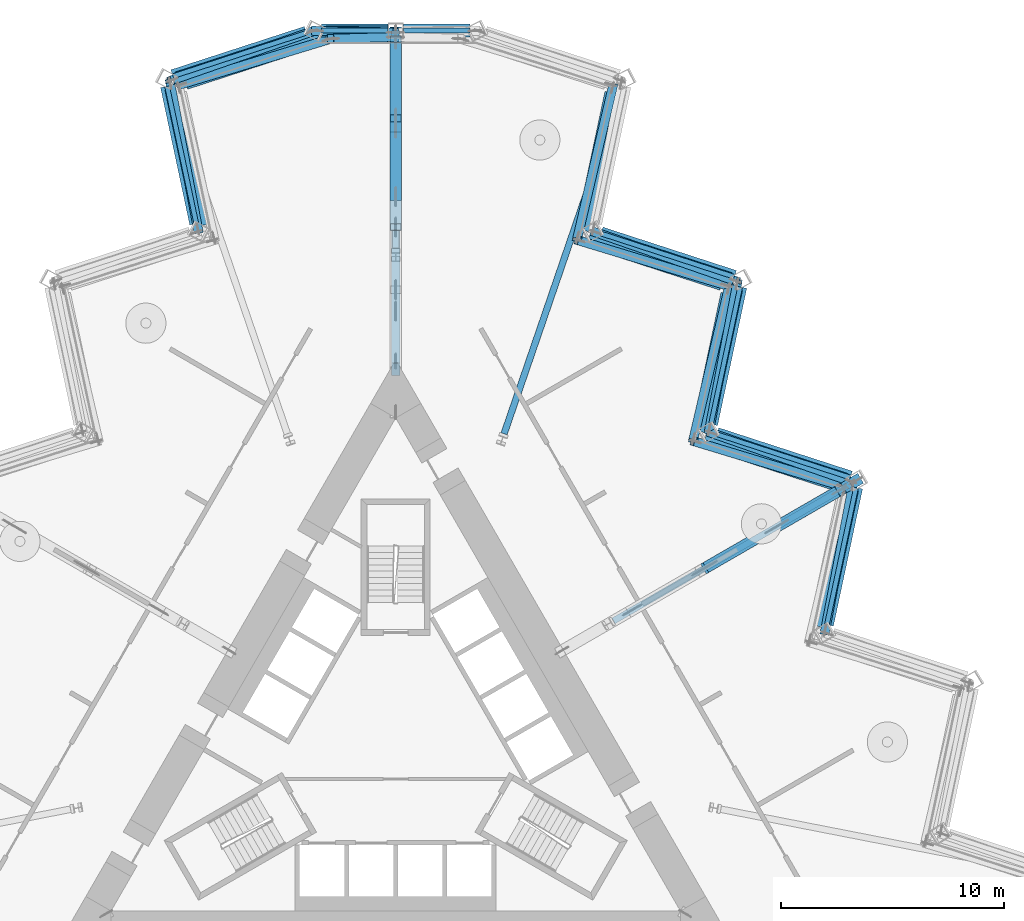
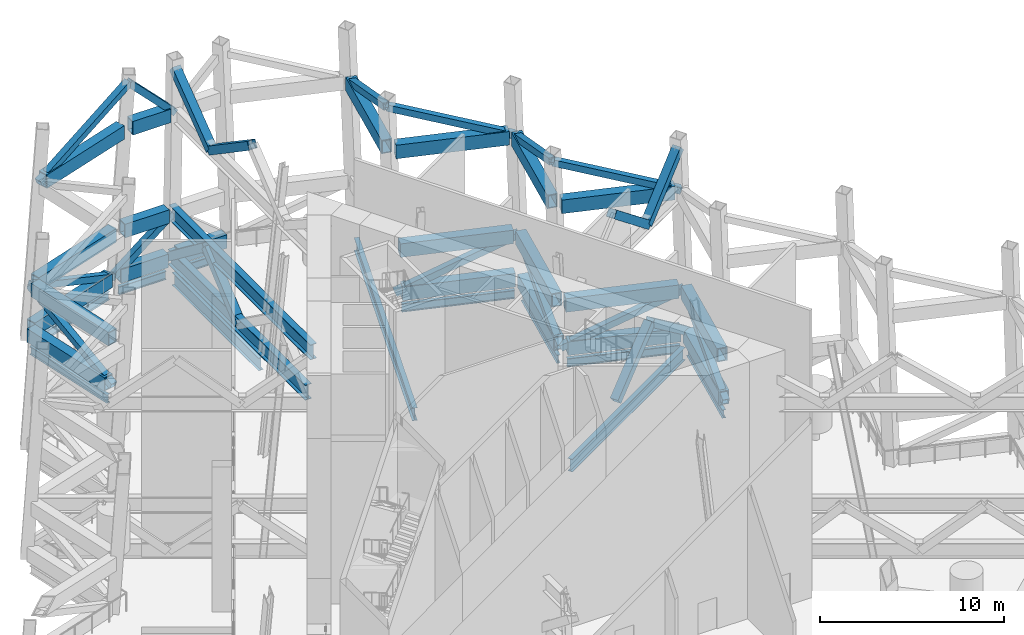
# One storey, part 6 of 19: 44 members, 11 beams.
"""IFC4 building model written with IfcOpenShell, lengths in metres."""

from ifc_helpers import new_model, si_unit, direction, frame, origin, origin_2d, place, context, subcontext, project, spatial, hollow_rectangle, i_section, extrude, material, material_profile, profile_set, type_object, element, save


model = new_model("IFC4")

# Units and contexts
model_context = context("Model", 3, precision=1e-05, world=origin(), true_north=direction((0.0, 1.0)))
body_context = subcontext(model_context, "Body", "Model", "MODEL_VIEW")
ifc_project = project(units=[si_unit("LENGTHUNIT", "METRE"), si_unit("AREAUNIT", "SQUARE_METRE"), si_unit("VOLUMEUNIT", "CUBIC_METRE"), si_unit("PLANEANGLEUNIT", "RADIAN"), si_unit("MASSUNIT", "GRAM", prefix="KILO")], contexts=[model_context])

# Site, building, storey
site_placement = place(None, origin())
site = spatial("IfcSite", under=ifc_project, at=site_placement, CompositionType="ELEMENT")
building_placement = place(site_placement, origin())
building = spatial("IfcBuilding", under=site, at=building_placement, Name="Cormorant Prow Tower", CompositionType="ELEMENT")
storey_placement = place(building_placement, frame((0.0, 0.0, 287.800048828125)))
storey = spatial("IfcBuildingStorey", under=building, at=storey_placement, Name="L64", CompositionType="ELEMENT", Elevation=287.800048828125)

# Members
ifc_material_1 = material(Name="Structural steel ASTM A572 Gr 50", Category="steel")
ifc_material_profile_1 = material_profile(ifc_material_1, hollow_rectangle(XDim=0.60009765625, YDim=0.89990234375, WallThickness=0.06005859375, at=origin_2d()), Name="Box 900x600x60")
ifc_profile_set_1 = profile_set([ifc_material_profile_1], Name="Structural steel ASTM A572 Gr 50")
member_type_1 = type_object("IfcMemberType", Name="Belt truss bottom chord 900x600x60", PredefinedType="CHORD", material=ifc_profile_set_1)
member_1_placement = place(storey_placement, frame((19.307861328125, 5.456787109375, 0.449951171875), z_axis=(0.207933593793, 0.978142944856, 0.0), x_axis=(-0.978142944856, 0.207933593793, 0.0)))
element("IfcMember", 1, at=member_1_placement, inside=storey, type_object=member_type_1, Name="Belt truss bottom chord ENE04-ENE05 L64", PredefinedType="CHORD", context=body_context, shape_type="SweptSolid", body=[
    extrude(hollow_rectangle(XDim=0.60009765625, YDim=0.89990234375, WallThickness=0.06005859375, at=origin_2d()), origin(), (0.0, 0.0, 1.0), 6.281494140625),
])
member_2_placement = place(storey_placement, frame((19.11962890625, 5.34521484375, 3.449951171875), z_axis=(0.207897315893, 0.978150656108, 0.0), x_axis=(-0.978150656108, 0.207897315893, 0.0)))
element("IfcMember", 2, at=member_2_placement, inside=storey, type_object=member_type_1, Name="Belt truss intermediate chord ENE04-ENE05 L64 level 1", PredefinedType="CHORD", context=body_context, shape_type="SweptSolid", body=[
    extrude(hollow_rectangle(XDim=0.60009765625, YDim=0.89990234375, WallThickness=0.06005859375, at=origin_2d()), origin(), (0.0, 0.0, 1.0), 6.284912109375),
])
member_3_placement = place(storey_placement, frame((20.353759765625, 12.051513671875, 0.449951171875), z_axis=(-0.951050348284, 0.309035976918, 0.0), x_axis=(-0.309035976918, -0.951050348284, 0.0)))
element("IfcMember", 3, at=member_3_placement, inside=storey, type_object=member_type_1, Name="Belt truss bottom chord ENE05-ENE06 L64", PredefinedType="CHORD", context=body_context, shape_type="SweptSolid", body=[
    extrude(hollow_rectangle(XDim=0.60009765625, YDim=0.89990234375, WallThickness=0.06005859375, at=origin_2d()), origin(), (0.0, 0.0, 1.0), 6.28125),
])
member_4_placement = place(storey_placement, frame((20.166259765625, 11.943359375, 3.449951171875), z_axis=(-0.951060327373, 0.309005264836, 0.0), x_axis=(-0.309005264836, -0.951060327373, 0.0)))
element("IfcMember", 4, at=member_4_placement, inside=storey, type_object=member_type_1, Name="Belt truss intermediate chord ENE05-ENE06 L64 level 1", PredefinedType="CHORD", context=body_context, shape_type="SweptSolid", body=[
    extrude(hollow_rectangle(XDim=0.60009765625, YDim=0.89990234375, WallThickness=0.06005859375, at=origin_2d()), origin(), (0.0, 0.0, 1.0), 6.28515625),
])
member_5_placement = place(storey_placement, frame((19.796630859375, 11.72998046875, 10.25), z_axis=(-0.951057732739, 0.309013250521, 0.0), x_axis=(-0.309013250521, -0.951057732739, 0.0)))
element("IfcMember", 5, at=member_5_placement, inside=storey, type_object=member_type_1, Name="Belt truss intermediate chord ENE05-ENE06 L64 level 2", PredefinedType="CHORD", context=body_context, shape_type="SweptSolid", body=[
    extrude(hollow_rectangle(XDim=0.60009765625, YDim=0.89990234375, WallThickness=0.06005859375, at=origin_2d()), origin(), (0.0, 0.0, 1.0), 6.2919921875),
])
member_6_placement = place(storey_placement, frame((14.11962890625, 14.443115234375, 0.449951171875), z_axis=(0.207933593793, 0.978142944856, 0.0), x_axis=(-0.978142944856, 0.207933593793, 0.0)))
element("IfcMember", 6, at=member_6_placement, inside=storey, type_object=member_type_1, Name="Belt truss bottom chord ENE06-ENE07 L64", PredefinedType="CHORD", context=body_context, shape_type="SweptSolid", body=[
    extrude(hollow_rectangle(XDim=0.60009765625, YDim=0.89990234375, WallThickness=0.06005859375, at=origin_2d()), origin(), (0.0, 0.0, 1.0), 6.281494140625),
])
member_7_placement = place(storey_placement, frame((13.9287109375, 14.3359375, 3.449951171875), z_axis=(0.207897315893, 0.978150656108, 0.0), x_axis=(-0.978150656108, 0.207897315893, 0.0)))
element("IfcMember", 7, at=member_7_placement, inside=storey, type_object=member_type_1, Name="Belt truss intermediate chord ENE06-ENE07 L64 level 1", PredefinedType="CHORD", context=body_context, shape_type="SweptSolid", body=[
    extrude(hollow_rectangle(XDim=0.60009765625, YDim=0.89990234375, WallThickness=0.06005859375, at=origin_2d()), origin(), (0.0, 0.0, 1.0), 6.284912109375),
])
member_8_placement = place(storey_placement, frame((13.55224609375, 14.124755859375, 10.25), z_axis=(0.20792836183, 0.978144057052, 0.0), x_axis=(-0.978144057052, 0.20792836183, 0.0)))
element("IfcMember", 8, at=member_8_placement, inside=storey, type_object=member_type_1, Name="Belt truss intermediate chord ENE06-ENE07 L64 level 2", PredefinedType="CHORD", context=body_context, shape_type="SweptSolid", body=[
    extrude(hollow_rectangle(XDim=0.60009765625, YDim=0.89990234375, WallThickness=0.06005859375, at=origin_2d()), origin(), (0.0, 0.0, 1.0), 6.292236328125),
])
member_9_placement = place(storey_placement, frame((15.16552734375, 21.037841796875, 0.449951171875), z_axis=(-0.951050348284, 0.309035976918, 0.0), x_axis=(-0.309035976918, -0.951050348284, 0.0)))
element("IfcMember", 9, at=member_9_placement, inside=storey, type_object=member_type_1, Name="Belt truss bottom chord ENE07-ENE08 L64", PredefinedType="CHORD", context=body_context, shape_type="SweptSolid", body=[
    extrude(hollow_rectangle(XDim=0.60009765625, YDim=0.89990234375, WallThickness=0.06005859375, at=origin_2d()), origin(), (0.0, 0.0, 1.0), 6.28125),
])
member_10_placement = place(storey_placement, frame((14.975341796875, 20.934326171875, 3.449951171875), z_axis=(-0.951060327373, 0.309005264836, 0.0), x_axis=(-0.309005264836, -0.951060327373, 0.0)))
element("IfcMember", 10, at=member_10_placement, inside=storey, type_object=member_type_1, Name="Belt truss intermediate chord ENE07-ENE08 L64 level 1", PredefinedType="CHORD", context=body_context, shape_type="SweptSolid", body=[
    extrude(hollow_rectangle(XDim=0.60009765625, YDim=0.89990234375, WallThickness=0.06005859375, at=origin_2d()), origin(), (0.0, 0.0, 1.0), 6.28515625),
])
member_11_placement = place(storey_placement, frame((14.600341796875, 20.72998046875, 10.25), z_axis=(-0.951057732739, 0.309013250521, 0.0), x_axis=(-0.309013250521, -0.951057732739, 0.0)))
element("IfcMember", 11, at=member_11_placement, inside=storey, type_object=member_type_1, Name="Belt truss intermediate chord ENE07-ENE08 L64 level 2", PredefinedType="CHORD", context=body_context, shape_type="SweptSolid", body=[
    extrude(hollow_rectangle(XDim=0.60009765625, YDim=0.89990234375, WallThickness=0.06005859375, at=origin_2d()), origin(), (0.0, 0.0, 1.0), 6.2919921875),
])
member_12_placement = place(storey_placement, frame((8.356201171875, 23.124755859375, 10.25), z_axis=(0.207891239018, 0.978151947675, 0.0), x_axis=(-0.978151947675, 0.207891239018, 0.0)))
element("IfcMember", 12, at=member_12_placement, inside=storey, type_object=member_type_1, Name="Belt truss intermediate chord ENE08-ENE09 L64 level 2", PredefinedType="CHORD", context=body_context, shape_type="SweptSolid", body=[
    extrude(hollow_rectangle(XDim=0.60009765625, YDim=0.89990234375, WallThickness=0.06005859375, at=origin_2d()), origin(), (0.0, 0.0, 1.0), 6.292236328125),
])
for number, where, z_axis, x_axis, name in (
    (13, (3.3203125, 32.073486328125, 0.449951171875), (-1.0, 0.0, 0.0), (0.0, -1.0, 0.0), "Belt truss bottom chord N00-N01 L64"),
    (14, (-0.35009765625, 32.073486328125, 0.449951171875), (-1.0, 0.0, 0.0), (0.0, -1.0, 0.0), "Belt truss bottom chord N01-WNW00 L64"),
):
    element("IfcMember", number, at=place(storey_placement, frame(where, z_axis=z_axis, x_axis=x_axis)), inside=storey, type_object=member_type_1, Name=name, PredefinedType="CHORD", context=body_context, shape_type="SweptSolid", body=[
        extrude(hollow_rectangle(XDim=0.60009765625, YDim=0.89990234375, WallThickness=0.06005859375, at=origin_2d()), origin(), (0.0, 0.0, 1.0), 2.97021484375),
    ])
member_13_placement = place(storey_placement, frame((-0.35009765625, 31.9755859375, 3.449951171875), z_axis=(-1.0, 0.0, 0.0), x_axis=(0.0, -1.0, 0.0)))
element("IfcMember", 15, at=member_13_placement, inside=storey, type_object=member_type_1, Name="Belt truss intermediate chord N01-WNW00 L64 level 1", PredefinedType="CHORD", context=body_context, shape_type="SweptSolid", body=[
    extrude(hollow_rectangle(XDim=0.60009765625, YDim=0.89990234375, WallThickness=0.06005859375, at=origin_2d()), origin(), (0.0, 0.0, 1.0), 2.77392578125),
])
member_14_placement = place(storey_placement, frame((-0.35009765625, 31.782470703125, 10.25), z_axis=(-1.0, 0.0, 0.0), x_axis=(0.0, -1.0, 0.0)))
element("IfcMember", 16, at=member_14_placement, inside=storey, type_object=member_type_1, Name="Belt truss intermediate chord N01-WNW00 L64 level 2", PredefinedType="CHORD", context=body_context, shape_type="SweptSolid", body=[
    extrude(hollow_rectangle(XDim=0.60009765625, YDim=0.89990234375, WallThickness=0.06005859375, at=origin_2d()), origin(), (0.0, 0.0, 1.0), 2.386962890625),
])
member_15_placement = place(storey_placement, frame((-4.003173828125, 31.96533203125, 0.449951171875), z_axis=(-0.951054060056, -0.309024553801, 0.0), x_axis=(0.309024553801, -0.951054060056, 0.0)))
element("IfcMember", 17, at=member_15_placement, inside=storey, type_object=member_type_1, Name="Belt truss bottom chord WNW00-WNW01 L64", PredefinedType="CHORD", context=body_context, shape_type="SweptSolid", body=[
    extrude(hollow_rectangle(XDim=0.60009765625, YDim=0.89990234375, WallThickness=0.06005859375, at=origin_2d()), origin(), (0.0, 0.0, 1.0), 6.281494140625),
])
member_16_placement = place(storey_placement, frame((-3.806884765625, 31.867431640625, 3.449951171875), z_axis=(-0.951048911238, -0.309040399355, 0.0), x_axis=(0.309040399355, -0.951048911238, 0.0)))
element("IfcMember", 18, at=member_16_placement, inside=storey, type_object=member_type_1, Name="Belt truss intermediate chord WNW00-WNW01 L64 level 1", PredefinedType="CHORD", context=body_context, shape_type="SweptSolid", body=[
    extrude(hollow_rectangle(XDim=0.60009765625, YDim=0.89990234375, WallThickness=0.06005859375, at=origin_2d()), origin(), (0.0, 0.0, 1.0), 6.28515625),
])
member_17_placement = place(storey_placement, frame((-3.420166015625, 31.67431640625, 10.25), z_axis=(-0.951057732739, -0.309013250521, 0.0), x_axis=(0.309013250521, -0.951057732739, 0.0)))
element("IfcMember", 19, at=member_17_placement, inside=storey, type_object=member_type_1, Name="Belt truss intermediate chord WNW00-WNW01 L64 level 2", PredefinedType="CHORD", context=body_context, shape_type="SweptSolid", body=[
    extrude(hollow_rectangle(XDim=0.60009765625, YDim=0.89990234375, WallThickness=0.06005859375, at=origin_2d()), origin(), (0.0, 0.0, 1.0), 6.2919921875),
])
member_18_placement = place(storey_placement, frame((-10.2373046875, 29.57373046875, 0.449951171875), z_axis=(0.207896407679, -0.97815084914, 0.0), x_axis=(0.97815084914, 0.207896407679, 0.0)))
element("IfcMember", 20, at=member_18_placement, inside=storey, type_object=member_type_1, Name="Belt truss bottom chord WNW01-WNW02 L64", PredefinedType="CHORD", context=body_context, shape_type="SweptSolid", body=[
    extrude(hollow_rectangle(XDim=0.60009765625, YDim=0.89990234375, WallThickness=0.06005859375, at=origin_2d()), origin(), (0.0, 0.0, 1.0), 6.281494140625),
])
member_19_placement = place(storey_placement, frame((-10.04443359375, 29.474609375, 3.449951171875), z_axis=(0.207897315893, -0.978150656108, 0.0), x_axis=(0.978150656108, 0.207897315893, 0.0)))
element("IfcMember", 21, at=member_19_placement, inside=storey, type_object=member_type_1, Name="Belt truss intermediate chord WNW01-WNW02 L64 level 1", PredefinedType="CHORD", context=body_context, shape_type="SweptSolid", body=[
    extrude(hollow_rectangle(XDim=0.60009765625, YDim=0.89990234375, WallThickness=0.06005859375, at=origin_2d()), origin(), (0.0, 0.0, 1.0), 6.284912109375),
])
ifc_material_2 = material(Name="Structural steel ASTM A500 Gr C", Category="steel")
ifc_material_profile_2 = material_profile(ifc_material_2, hollow_rectangle(XDim=0.406494140625, YDim=0.406494140625, WallThickness=0.014892578125, at=origin_2d()), Name="HSS16x16x5/8")
ifc_profile_set_2 = profile_set([ifc_material_profile_2], Name="Structural steel ASTM A500 Gr C")
member_type_2 = type_object("IfcMemberType", Name="Belt truss diagonal HSS16x16x5/8", PredefinedType="BRACE", material=ifc_profile_set_2)
member_20_placement = place(storey_placement, frame((14.02197265625, 14.0869140625, 0.449951171875), z_axis=(0.865359416443, -0.300837161623, 0.400811779467), x_axis=(0.328367341188, 0.944550098852, 0.0)))
element("IfcMember", 22, at=member_20_placement, inside=storey, type_object=member_type_2, Name="Belt truss diagonal ENE05-ENE06 L64 lower girder band", PredefinedType="BRACE", context=body_context, shape_type="SweptSolid", body=[
    extrude(hollow_rectangle(XDim=0.406494140625, YDim=0.406494140625, WallThickness=0.014892578125, at=origin_2d()), origin(), (0.0, 0.0, 1.0), 7.48486328125),
])
member_21_placement = place(storey_placement, frame((14.933349609375, 20.621826171875, 10.25), z_axis=(-0.209675536304, -0.897354412795, 0.388318461206), x_axis=(0.973770843537, -0.227530974323, 0.0)))
element("IfcMember", 23, at=member_21_placement, inside=storey, type_object=member_type_2, Name="Belt truss diagonal ENE06-ENE07 L64 upper girder band", PredefinedType="BRACE", context=body_context, shape_type="SweptSolid", body=[
    extrude(hollow_rectangle(XDim=0.406494140625, YDim=0.406494140625, WallThickness=0.014892578125, at=origin_2d()), origin(), (0.0, 0.0, 1.0), 7.7255859375),
])
member_22_placement = place(storey_placement, frame((8.83349609375, 23.07373046875, 0.449951171875), z_axis=(0.865421787564, -0.300417533044, 0.40099181469), x_axis=(0.327937512451, 0.944699416707, 0.0)))
element("IfcMember", 24, at=member_22_placement, inside=storey, type_object=member_type_2, Name="Belt truss diagonal ENE07-ENE08 L64 lower girder band", PredefinedType="BRACE", context=body_context, shape_type="SweptSolid", body=[
    extrude(hollow_rectangle(XDim=0.406494140625, YDim=0.406494140625, WallThickness=0.014892578125, at=origin_2d()), origin(), (0.0, 0.0, 1.0), 7.4814453125),
])
member_23_placement = place(storey_placement, frame((9.737060546875, 29.621826171875, 10.25), z_axis=(-0.210048663444, -0.897196119789, 0.388482537086), x_axis=(0.973672140697, -0.227952982938, 0.0)))
element("IfcMember", 25, at=member_23_placement, inside=storey, type_object=member_type_2, Name="Belt truss diagonal ENE08-ENE09 L64 upper girder band", PredefinedType="BRACE", context=body_context, shape_type="SweptSolid", body=[
    extrude(hollow_rectangle(XDim=0.406494140625, YDim=0.406494140625, WallThickness=0.014892578125, at=origin_2d()), origin(), (0.0, 0.0, 1.0), 7.722412109375),
])
member_24_placement = place(storey_placement, frame((-3.644775390625, 32.060546875, 0.449951171875), z_axis=(0.771969408998, -0.017994865988, 0.635404923154), x_axis=(0.023304005079, 0.999728424797, 0.0)))
element("IfcMember", 26, at=member_24_placement, inside=storey, type_object=member_type_2, Name="Belt truss diagonal N01-WNW00 L64 lower girder band", PredefinedType="BRACE", context=body_context, shape_type="SweptSolid", body=[
    extrude(hollow_rectangle(XDim=0.406494140625, YDim=0.406494140625, WallThickness=0.014892578125, at=origin_2d()), origin(), (0.0, 0.0, 1.0), 4.721435546875),
])
member_25_placement = place(storey_placement, frame((-9.737060546875, 29.621826171875, 10.25), z_axis=(0.881799002693, 0.268324205244, 0.387856467949), x_axis=(-0.291112559254, 0.956688809302, 0.0)))
element("IfcMember", 27, at=member_25_placement, inside=storey, type_object=member_type_2, Name="Belt truss diagonal WNW00-WNW01 L64 upper girder band", PredefinedType="BRACE", context=body_context, shape_type="SweptSolid", body=[
    extrude(hollow_rectangle(XDim=0.406494140625, YDim=0.406494140625, WallThickness=0.014892578125, at=origin_2d()), origin(), (0.0, 0.0, 1.0), 7.73486328125),
])
member_26_placement = place(storey_placement, frame((-8.83349609375, 23.07373046875, 0.449951171875), z_axis=(-0.171359843549, 0.90014432842, 0.400469714251), x_axis=(-0.982357862273, -0.187010776243, 0.0)))
element("IfcMember", 28, at=member_26_placement, inside=storey, type_object=member_type_2, Name="Belt truss diagonal WNW01-WNW02 L64 lower girder band", PredefinedType="BRACE", context=body_context, shape_type="SweptSolid", body=[
    extrude(hollow_rectangle(XDim=0.406494140625, YDim=0.406494140625, WallThickness=0.014892578125, at=origin_2d()), origin(), (0.0, 0.0, 1.0), 7.4912109375),
])
ifc_material_3 = material(Name="Structural steel ASTM A500 Gr C", Category="steel")
ifc_material_profile_3 = material_profile(ifc_material_3, hollow_rectangle(XDim=0.406494140625, YDim=0.406494140625, WallThickness=0.014892578125, at=origin_2d()), Name="HSS16x16x5/8")
ifc_profile_set_3 = profile_set([ifc_material_profile_3], Name="Structural steel ASTM A500 Gr C")
member_type_3 = type_object("IfcMemberType", Name="Belt truss strut HSS16x16x5/8", PredefinedType="STRUT", material=ifc_profile_set_3)
member_27_placement = place(storey_placement, frame((19.210693359375, 5.099853515625, 0.449951171875), z_axis=(0.172122308806, 0.899850342114, 0.400803284178), x_axis=(-0.982193370147, 0.187872785786, 0.0)))
element("IfcMember", 29, at=member_27_placement, inside=storey, type_object=member_type_3, Name="Belt truss strut ENE04-ENE05 L64 lower girder band", PredefinedType="STRUT", context=body_context, shape_type="SweptSolid", body=[
    extrude(hollow_rectangle(XDim=0.406494140625, YDim=0.406494140625, WallThickness=0.014892578125, at=origin_2d()), origin(), (0.0, 0.0, 1.0), 7.48486328125),
])
member_28_placement = place(storey_placement, frame((20.12939453125, 11.621826171875, 10.25), z_axis=(-0.881911802728, 0.267498715721, 0.388170077796), x_axis=(-0.290258539336, -0.956948264193, 0.0)))
element("IfcMember", 30, at=member_28_placement, inside=storey, type_object=member_type_3, Name="Belt truss strut ENE05-ENE06 L64 upper girder band", PredefinedType="STRUT", context=body_context, shape_type="SweptSolid", body=[
    extrude(hollow_rectangle(XDim=0.406494140625, YDim=0.406494140625, WallThickness=0.014892578125, at=origin_2d()), origin(), (0.0, 0.0, 1.0), 7.728515625),
])
member_29_placement = place(storey_placement, frame((14.02197265625, 14.0869140625, 0.449951171875), z_axis=(0.171756755243, 0.899994964262, 0.400635347082), x_axis=(-0.982272475514, 0.187458752391, 0.0)))
element("IfcMember", 31, at=member_29_placement, inside=storey, type_object=member_type_3, Name="Belt truss strut ENE06-ENE07 L64 lower girder band", PredefinedType="STRUT", context=body_context, shape_type="SweptSolid", body=[
    extrude(hollow_rectangle(XDim=0.406494140625, YDim=0.406494140625, WallThickness=0.014892578125, at=origin_2d()), origin(), (0.0, 0.0, 1.0), 7.488037109375),
])
member_30_placement = place(storey_placement, frame((14.933349609375, 20.621826171875, 10.25), z_axis=(-0.881855247301, 0.267922578536, 0.388006204484), x_axis=(-0.290696699513, -0.956815253271, 0.0)))
element("IfcMember", 32, at=member_30_placement, inside=storey, type_object=member_type_3, Name="Belt truss strut ENE07-ENE08 L64 upper girder band", PredefinedType="STRUT", context=body_context, shape_type="SweptSolid", body=[
    extrude(hollow_rectangle(XDim=0.406494140625, YDim=0.406494140625, WallThickness=0.014892578125, at=origin_2d()), origin(), (0.0, 0.0, 1.0), 7.73193359375),
])
member_31_placement = place(storey_placement, frame((0.0, 31.782470703125, 10.25), z_axis=(-0.696913901489, -0.020360200203, 0.716865730914), x_axis=(0.029202340426, -0.999573520715, 0.0)))
element("IfcMember", 33, at=member_31_placement, inside=storey, type_object=member_type_3, Name="Belt truss strut N01-WNW00 L64 upper girder band", PredefinedType="STRUT", context=body_context, shape_type="SweptSolid", body=[
    extrude(hollow_rectangle(XDim=0.406494140625, YDim=0.406494140625, WallThickness=0.014892578125, at=origin_2d()), origin(), (0.0, 0.0, 1.0), 4.184814453125),
])
member_32_placement = place(storey_placement, frame((-3.644775390625, 32.060546875, 0.449951171875), z_axis=(-0.865483746172, -0.300018695157, 0.401156662252), x_axis=(0.327527943746, -0.944841492561, 0.0)))
element("IfcMember", 34, at=member_32_placement, inside=storey, type_object=member_type_3, Name="Belt truss strut WNW00-WNW01 L64 lower girder band", PredefinedType="STRUT", context=body_context, shape_type="SweptSolid", body=[
    extrude(hollow_rectangle(XDim=0.406494140625, YDim=0.406494140625, WallThickness=0.014892578125, at=origin_2d()), origin(), (0.0, 0.0, 1.0), 7.478271484375),
])
ifc_material_4 = material(Name="Structural steel ASTM A992 Gr 50", Category="steel")
ifc_material_profile_4 = material_profile(ifc_material_4, i_section(OverallWidth=0.39990234375, OverallDepth=1.000244140625, WebThickness=0.01904296875, FlangeThickness=0.0361328125, at=origin_2d()), Name="W40x249")
ifc_profile_set_4 = profile_set([ifc_material_profile_4], Name="Structural steel ASTM A992 Gr 50")
member_type_4 = type_object("IfcMemberType", Name="Outrigger chord W40x249", PredefinedType="CHORD", material=ifc_profile_set_4)
member_33_placement = place(storey_placement, frame((0.0, 17.17041015625, 0.5), z_axis=(0.0, 1.0, 0.0), x_axis=(-1.0, 0.0, 0.0)))
element("IfcMember", 35, at=member_33_placement, inside=storey, type_object=member_type_4, Name="Outrigger bottom chord 1 L64", PredefinedType="CHORD", context=body_context, shape_type="SweptSolid", body=[
    extrude(i_section(OverallWidth=0.39990234375, OverallDepth=1.000244140625, WebThickness=0.01904296875, FlangeThickness=0.0361328125, at=origin_2d()), origin(), (0.0, 0.0, 1.0), 14.903076171875),
])
member_34_placement = place(storey_placement, frame((0.0, 16.625, 3.5), z_axis=(0.0, 1.0, 0.0), x_axis=(-1.0, 0.0, 0.0)))
element("IfcMember", 36, at=member_34_placement, inside=storey, type_object=member_type_4, Name="Outrigger intermediate chord 1 L64 level 1", PredefinedType="CHORD", context=body_context, shape_type="SweptSolid", body=[
    extrude(i_section(OverallWidth=0.39990234375, OverallDepth=1.000244140625, WebThickness=0.01904296875, FlangeThickness=0.0361328125, at=origin_2d()), origin(), (0.0, 0.0, 1.0), 15.3544921875),
])
ifc_material_5 = material(Name="Structural steel ASTM A500 Gr C", Category="steel")
ifc_material_profile_5 = material_profile(ifc_material_5, hollow_rectangle(XDim=0.508056640625, YDim=0.508056640625, WallThickness=0.014892578125, at=origin_2d()), Name="HSS20x20x5/8")
ifc_profile_set_5 = profile_set([ifc_material_profile_5], Name="Structural steel ASTM A500 Gr C")
member_type_5 = type_object("IfcMemberType", Name="Outrigger diagonal HSS20x20x5/8", PredefinedType="BRACE", material=ifc_profile_set_5)
member_35_placement = place(storey_placement, frame((0.0, 24.6220703125, 0.5), z_axis=(0.0, 0.76097577685, 0.648780291815), x_axis=(-1.0, 0.0, 0.0)))
element("IfcMember", 37, at=member_35_placement, inside=storey, type_object=member_type_5, Name="Outrigger diagonal 1.3 L64 lower girder band", PredefinedType="BRACE", context=body_context, shape_type="SweptSolid", body=[
    extrude(hollow_rectangle(XDim=0.508056640625, YDim=0.508056640625, WallThickness=0.014892578125, at=origin_2d()), origin(), (0.0, 0.0, 1.0), 4.6240234375),
])
member_36_placement = place(storey_placement, frame((0.0, 23.2685546875, 13.19970703125), z_axis=(0.0, 0.826860096415, -0.562407664383), x_axis=(-1.0, 0.0, 0.0)))
element("IfcMember", 38, at=member_36_placement, inside=storey, type_object=member_type_5, Name="Outrigger diagonal 1.3 L64 upper girder band", PredefinedType="BRACE", context=body_context, shape_type="SweptSolid", body=[
    extrude(hollow_rectangle(XDim=0.508056640625, YDim=0.508056640625, WallThickness=0.014892578125, at=origin_2d()), origin(), (0.0, 0.0, 1.0), 5.334228515625),
])
member_37_placement = place(storey_placement, frame((14.0283203125, 8.099365234375, 0.5), z_axis=(0.671859343725, 0.387895558125, 0.6309849905), x_axis=(-0.499997472108, 0.866026863259, 0.0)))
element("IfcMember", 39, at=member_37_placement, inside=storey, type_object=member_type_5, Name="Outrigger diagonal 6.3 L64 lower girder band", PredefinedType="BRACE", context=body_context, shape_type="SweptSolid", body=[
    extrude(hollow_rectangle(XDim=0.508056640625, YDim=0.508056640625, WallThickness=0.014892578125, at=origin_2d()), origin(), (0.0, 0.0, 1.0), 4.75439453125),
])
member_38_placement = place(storey_placement, frame((13.64794921875, 7.879638671875, 13.19970703125), z_axis=(0.678352376215, 0.39166262187, -0.621641733085), x_axis=(-0.500015027522, 0.866016727467, 0.0)))
element("IfcMember", 40, at=member_38_placement, inside=storey, type_object=member_type_5, Name="Outrigger diagonal 6.3 L64 upper girder band", PredefinedType="BRACE", context=body_context, shape_type="SweptSolid", body=[
    extrude(hollow_rectangle(XDim=0.508056640625, YDim=0.508056640625, WallThickness=0.014892578125, at=origin_2d()), origin(), (0.0, 0.0, 1.0), 4.825927734375),
])
ifc_material_6 = material(Name="Structural steel ASTM A500 Gr C", Category="steel")
ifc_material_profile_6 = material_profile(ifc_material_6, hollow_rectangle(XDim=0.508056640625, YDim=0.508056640625, WallThickness=0.014892578125, at=origin_2d()), Name="HSS20x20x5/8")
ifc_profile_set_6 = profile_set([ifc_material_profile_6], Name="Structural steel ASTM A500 Gr C")
member_type_6 = type_object("IfcMemberType", Name="Outrigger strut HSS20x20x5/8", PredefinedType="STRUT", material=ifc_profile_set_6)
member_39_placement = place(storey_placement, frame((0.0, 28.140869140625, 3.5), z_axis=(0.0, 0.79506900057, -0.60651898926), x_axis=(-1.0, 0.0, 0.0)))
element("IfcMember", 41, at=member_39_placement, inside=storey, type_object=member_type_6, Name="Outrigger strut 1.4 L64 lower girder band", PredefinedType="STRUT", context=body_context, shape_type="SweptSolid", body=[
    extrude(hollow_rectangle(XDim=0.508056640625, YDim=0.508056640625, WallThickness=0.014892578125, at=origin_2d()), origin(), (0.0, 0.0, 1.0), 4.9462890625),
])
member_40_placement = place(storey_placement, frame((0.0, 27.67919921875, 10.19970703125), z_axis=(0.0, 0.799771310209, 0.60030479872), x_axis=(-1.0, 0.0, 0.0)))
element("IfcMember", 42, at=member_40_placement, inside=storey, type_object=member_type_6, Name="Outrigger strut 1.4 L64 upper girder band", PredefinedType="STRUT", context=body_context, shape_type="SweptSolid", body=[
    extrude(hollow_rectangle(XDim=0.508056640625, YDim=0.508056640625, WallThickness=0.014892578125, at=origin_2d()), origin(), (0.0, 0.0, 1.0), 4.99755859375),
])
member_41_placement = place(storey_placement, frame((17.22265625, 9.943603515625, 3.5), z_axis=(0.692834864377, 0.399958444859, -0.600010910809), x_axis=(-0.49995317011, 0.866052439346, 0.0)))
element("IfcMember", 43, at=member_41_placement, inside=storey, type_object=member_type_6, Name="Outrigger strut 6.4 L64 lower girder band", PredefinedType="STRUT", context=body_context, shape_type="SweptSolid", body=[
    extrude(hollow_rectangle(XDim=0.508056640625, YDim=0.508056640625, WallThickness=0.014892578125, at=origin_2d()), origin(), (0.0, 0.0, 1.0), 5.0),
])
member_42_placement = place(storey_placement, frame((16.921630859375, 9.769775390625, 10.19970703125), z_axis=(0.655014860801, 0.378188034065, 0.65416308595), x_axis=(-0.500014901547, 0.866016800201, 0.0)))
element("IfcMember", 44, at=member_42_placement, inside=storey, type_object=member_type_6, Name="Outrigger strut 6.4 L64 upper girder band", PredefinedType="STRUT", context=body_context, shape_type="SweptSolid", body=[
    extrude(hollow_rectangle(XDim=0.508056640625, YDim=0.508056640625, WallThickness=0.014892578125, at=origin_2d()), origin(), (0.0, 0.0, 1.0), 4.5859375),
])

# Beams
ifc_material_7 = material(Name="Structural steel ASTM A992 Gr 50", Category="steel")
ifc_material_profile_7 = material_profile(ifc_material_7, i_section(OverallWidth=0.29296875, OverallDepth=0.845703125, WebThickness=0.015380859375, FlangeThickness=0.0244140625, at=origin_2d()), Name="W33x141")
ifc_profile_set_7 = profile_set([ifc_material_profile_7], Name="Structural steel ASTM A992 Gr 50")
beam_type_1 = type_object("IfcBeamType", Name="Radial floor beam W33x141", PredefinedType="BEAM", material=ifc_profile_set_7)
beam_1_placement = place(storey_placement, frame((0.0, 22.320068359375, -0.77294921875), z_axis=(0.0, 1.0, 0.0), x_axis=(-1.0, 0.0, 0.0)))
element("IfcBeam", 45, at=beam_1_placement, inside=storey, type_object=beam_type_1, Name="Radial floor beam FB2 1 L64", PredefinedType="BEAM", context=body_context, shape_type="SweptSolid", body=[
    extrude(i_section(OverallWidth=0.29296875, OverallDepth=0.845703125, WebThickness=0.015380859375, FlangeThickness=0.0244140625, at=origin_2d()), origin(), (0.0, 0.0, 1.0), 9.4033203125),
])
beam_2_placement = place(storey_placement, frame((9.751220703125, 5.6298828125, -0.77294921875), z_axis=(0.866021995826, 0.500005902711, 0.0), x_axis=(-0.500005902711, 0.866021995826, 0.0)))
element("IfcBeam", 46, at=beam_2_placement, inside=storey, type_object=beam_type_1, Name="Radial floor beam FB2 11 L64", PredefinedType="BEAM", context=body_context, shape_type="SweptSolid", body=[
    extrude(i_section(OverallWidth=0.29296875, OverallDepth=0.845703125, WebThickness=0.015380859375, FlangeThickness=0.0244140625, at=origin_2d()), origin(), (0.0, 0.0, 1.0), 12.277099609375),
])
beam_3_placement = place(storey_placement, frame((4.85400390625, 14.013916015625, -0.77294921875), z_axis=(0.324535507117, 0.945873514071, 0.0), x_axis=(-0.945873514071, 0.324535507117, 0.0)))
element("IfcBeam", 47, at=beam_3_placement, inside=storey, type_object=beam_type_1, Name="Radial floor beam FB2 12 L64", PredefinedType="BEAM", context=body_context, shape_type="SweptSolid", body=[
    extrude(i_section(OverallWidth=0.29296875, OverallDepth=0.845703125, WebThickness=0.015380859375, FlangeThickness=0.0244140625, at=origin_2d()), origin(), (0.0, 0.0, 1.0), 16.462158203125),
])
ifc_material_8 = material(Name="Structural steel ASTM A992 Gr 50", Category="steel")
ifc_material_profile_8 = material_profile(ifc_material_8, i_section(OverallWidth=0.2138671875, OverallDepth=0.549072265625, WebThickness=0.0146484375, FlangeThickness=0.023681640625, at=origin_2d()), Name="W21x93")
ifc_profile_set_8 = profile_set([ifc_material_profile_8], Name="Structural steel ASTM A992 Gr 50")
beam_type_2 = type_object("IfcBeamType", Name="Spandrel beam W21x93", PredefinedType="SPANDREL", material=ifc_profile_set_8)
beam_4_placement = place(storey_placement, frame((19.307861328125, 5.456787109375, -0.62451171875), z_axis=(0.207933593793, 0.978142944856, 0.0), x_axis=(-0.978142944856, 0.207933593793, 0.0)))
element("IfcBeam", 48, at=beam_4_placement, inside=storey, type_object=beam_type_2, Name="Spandrel beam SB2 ENE04-ENE05 L64", PredefinedType="SPANDREL", context=body_context, shape_type="SweptSolid", body=[
    extrude(i_section(OverallWidth=0.2138671875, OverallDepth=0.549072265625, WebThickness=0.0146484375, FlangeThickness=0.023681640625, at=origin_2d()), origin(), (0.0, 0.0, 1.0), 6.281494140625),
])
beam_5_placement = place(storey_placement, frame((20.353759765625, 12.051513671875, -0.62451171875), z_axis=(-0.951050348284, 0.309035976918, 0.0), x_axis=(-0.309035976918, -0.951050348284, 0.0)))
element("IfcBeam", 49, at=beam_5_placement, inside=storey, type_object=beam_type_2, Name="Spandrel beam SB2 ENE05-ENE06 L64", PredefinedType="SPANDREL", context=body_context, shape_type="SweptSolid", body=[
    extrude(i_section(OverallWidth=0.2138671875, OverallDepth=0.549072265625, WebThickness=0.0146484375, FlangeThickness=0.023681640625, at=origin_2d()), origin(), (0.0, 0.0, 1.0), 6.28125),
])
beam_6_placement = place(storey_placement, frame((14.11962890625, 14.443115234375, -0.62451171875), z_axis=(0.207933593793, 0.978142944856, 0.0), x_axis=(-0.978142944856, 0.207933593793, 0.0)))
element("IfcBeam", 50, at=beam_6_placement, inside=storey, type_object=beam_type_2, Name="Spandrel beam SB2 ENE06-ENE07 L64", PredefinedType="SPANDREL", context=body_context, shape_type="SweptSolid", body=[
    extrude(i_section(OverallWidth=0.2138671875, OverallDepth=0.549072265625, WebThickness=0.0146484375, FlangeThickness=0.023681640625, at=origin_2d()), origin(), (0.0, 0.0, 1.0), 6.281494140625),
])
beam_7_placement = place(storey_placement, frame((15.16552734375, 21.037841796875, -0.62451171875), z_axis=(-0.951050348284, 0.309035976918, 0.0), x_axis=(-0.309035976918, -0.951050348284, 0.0)))
element("IfcBeam", 51, at=beam_7_placement, inside=storey, type_object=beam_type_2, Name="Spandrel beam SB2 ENE07-ENE08 L64", PredefinedType="SPANDREL", context=body_context, shape_type="SweptSolid", body=[
    extrude(i_section(OverallWidth=0.2138671875, OverallDepth=0.549072265625, WebThickness=0.0146484375, FlangeThickness=0.023681640625, at=origin_2d()), origin(), (0.0, 0.0, 1.0), 6.28125),
])
for number, where, z_axis, x_axis, name in (
    (52, (3.3203125, 32.073486328125, -0.62451171875), (-1.0, 0.0, 0.0), (0.0, -1.0, 0.0), "Spandrel beam SB2 N00-N01 L64"),
    (53, (-0.35009765625, 32.073486328125, -0.62451171875), (-1.0, 0.0, 0.0), (0.0, -1.0, 0.0), "Spandrel beam SB2 N01-WNW00 L64"),
):
    element("IfcBeam", number, at=place(storey_placement, frame(where, z_axis=z_axis, x_axis=x_axis)), inside=storey, type_object=beam_type_2, Name=name, PredefinedType="SPANDREL", context=body_context, shape_type="SweptSolid", body=[
        extrude(i_section(OverallWidth=0.2138671875, OverallDepth=0.549072265625, WebThickness=0.0146484375, FlangeThickness=0.023681640625, at=origin_2d()), origin(), (0.0, 0.0, 1.0), 2.97021484375),
    ])
for number, where, z_axis, x_axis, name in (
    (54, (-4.003173828125, 31.96533203125, -0.62451171875), (-0.951054060056, -0.309024553801, 0.0), (0.309024553801, -0.951054060056, 0.0), "Spandrel beam SB2 WNW00-WNW01 L64"),
    (55, (-10.2373046875, 29.57373046875, -0.62451171875), (0.207896407679, -0.97815084914, 0.0), (0.97815084914, 0.207896407679, 0.0), "Spandrel beam SB2 WNW01-WNW02 L64"),
):
    element("IfcBeam", number, at=place(storey_placement, frame(where, z_axis=z_axis, x_axis=x_axis)), inside=storey, type_object=beam_type_2, Name=name, PredefinedType="SPANDREL", context=body_context, shape_type="SweptSolid", body=[
        extrude(i_section(OverallWidth=0.2138671875, OverallDepth=0.549072265625, WebThickness=0.0146484375, FlangeThickness=0.023681640625, at=origin_2d()), origin(), (0.0, 0.0, 1.0), 6.281494140625),
    ])

save(model, "model.ifc")
